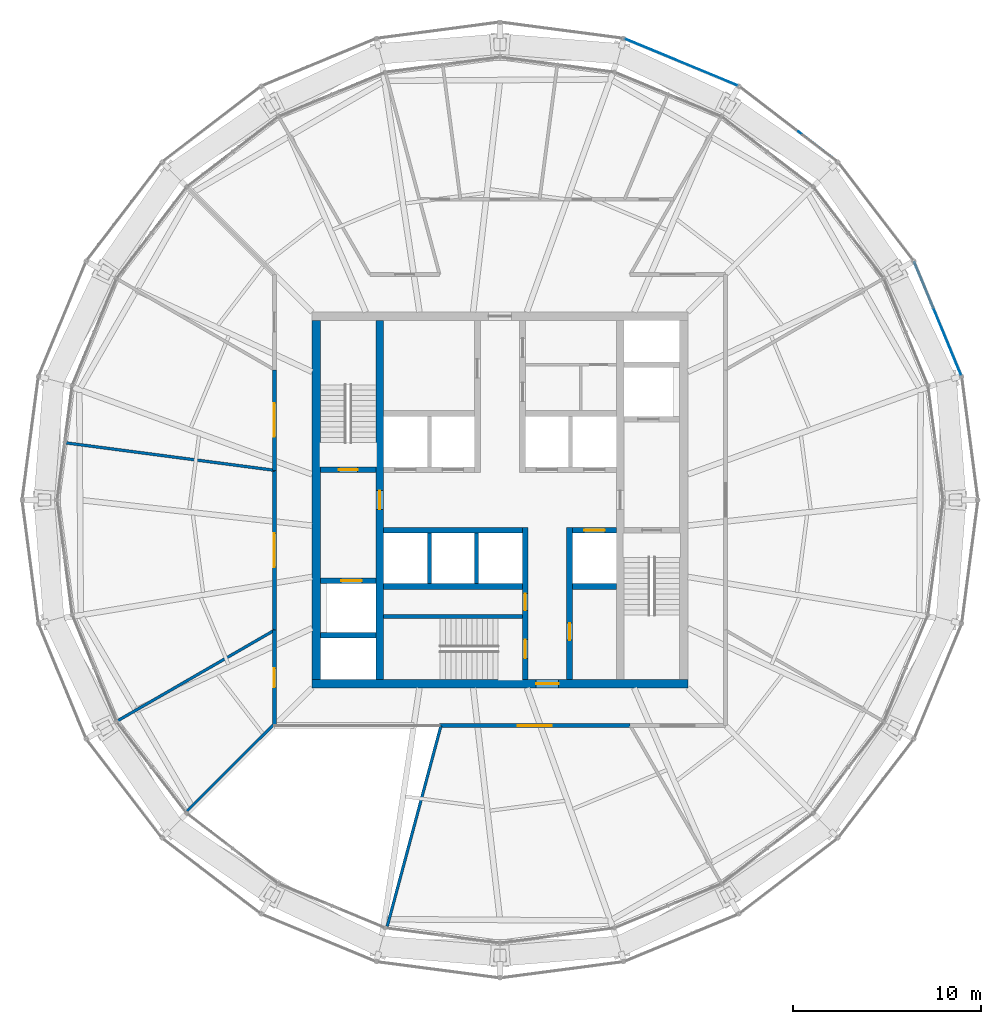
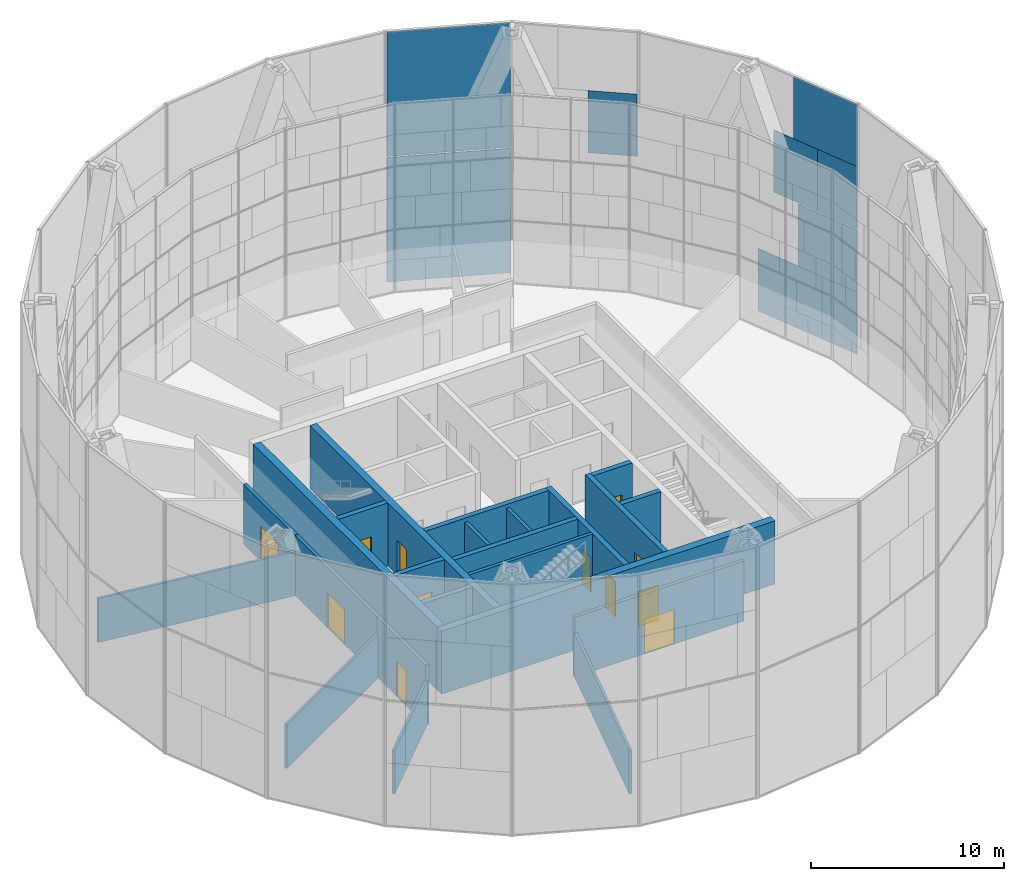
# One storey, part 23 of 26: 23 walls, 12 doors, 10 plates, 12 openings, 3 elements without a shape of their own.
"""IFC4 building model written with IfcOpenShell, lengths in metres."""

from ifc_helpers import new_model, si_unit, direction, frame, frame_2d, origin, origin_2d, place, context, subcontext, project, spatial, rectangle, extrude, material, layer, layer_set, type_object, element, fill, aggregate, save


model = new_model("IFC4")

# Units and contexts
model_context = context("Model", 3, precision=1e-05, world=origin(), true_north=direction((0.0, 1.0)))
body_context = subcontext(model_context, "Body", "Model", "MODEL_VIEW")
ifc_project = project(units=[si_unit("LENGTHUNIT", "METRE"), si_unit("AREAUNIT", "SQUARE_METRE"), si_unit("VOLUMEUNIT", "CUBIC_METRE"), si_unit("PLANEANGLEUNIT", "RADIAN"), si_unit("MASSUNIT", "GRAM", prefix="KILO")], contexts=[model_context])

# Site, building, storey
site_placement = place(None, origin())
site = spatial("IfcSite", under=ifc_project, at=site_placement, CompositionType="ELEMENT")
building_placement = place(site_placement, origin())
building = spatial("IfcBuilding", under=site, at=building_placement, Name="Golbaran Civic Tower", CompositionType="ELEMENT")
storey_placement = place(building_placement, frame((0.0, 0.0, 199.0)))
storey = spatial("IfcBuildingStorey", under=building, at=storey_placement, Name="L48", CompositionType="ELEMENT", Elevation=199.0)

# Curtain wall, plates
ifc_material_1 = material(Name="Aluminium and glass", Category="aluminium")
curtain_wall_type = type_object("IfcCurtainWallType", Name="OUTER SKIN TERRACOTTA SCREEN", PredefinedType="NOTDEFINED", material=ifc_material_1)
curtain_wall_1_placement = place(storey_placement, origin())
curtain_wall_1 = element("IfcCurtainWall", 1, at=curtain_wall_1_placement, inside=storey, type_object=curtain_wall_type, Name="Outer skin L48 facet 2 CW3", ObjectType="OUTER SKIN", PredefinedType="USERDEFINED")
ifc_material_2 = material(Name="Clear laminated glass", Category="glass")
ifc_layer_1 = layer(ifc_material_2, 0.0400390625, Name="Clear laminated glass")
ifc_layer_set_1 = layer_set([ifc_layer_1], Name="Clear laminated glass")
plate_type_1 = type_object("IfcPlateType", Name="OUTER SKIN CLEAR GLASS PANEL", PredefinedType="CURTAIN_PANEL", material=ifc_layer_set_1)
plate_1_placement = place(storey_placement, frame((22.852783203125, 10.706298828125, -0.6298828125), z_axis=(0.0, 0.0, 1.0), x_axis=(-0.382683432446, 0.923879532478, 0.0)))
plate_1 = element("IfcPlate", 2, at=plate_1_placement, type_object=plate_type_1, Name="CW3 panel 1.1 part 2", PredefinedType="CURTAIN_PANEL", context=body_context, shape_type="SweptSolid", body=[
    extrude(rectangle(XDim=4.18603515625, YDim=0.0400390625, at=origin_2d()), origin(), (0.0, 0.0, 1.0), 3.93994140625),
])
plate_2_placement = place(storey_placement, frame((24.3447265625, 7.104736328125, 3.31005859375), z_axis=(0.0, 0.0, 1.0), x_axis=(-0.382683432446, 0.923879532478, 0.0)))
plate_2 = element("IfcPlate", 3, at=plate_2_placement, type_object=plate_type_1, Name="CW3 panel 1.1 part 3", PredefinedType="CURTAIN_PANEL", context=body_context, shape_type="SweptSolid", body=[
    extrude(rectangle(XDim=0.972900390625, YDim=0.0400390625, at=origin_2d()), origin(), (0.0, 0.0, 1.0), 3.93994140625),
])
plate_3_placement = place(storey_placement, frame((24.0380859375, 7.84521484375, 7.330078125), z_axis=(0.0, 0.0, 1.0), x_axis=(-0.382683432446, 0.923879532478, 0.0)))
plate_3 = element("IfcPlate", 4, at=plate_3_placement, type_object=plate_type_1, Name="CW3 panel 1.2 part 1", PredefinedType="CURTAIN_PANEL", context=body_context, shape_type="SweptSolid", body=[
    extrude(rectangle(XDim=2.575927734375, YDim=0.0400390625, at=origin_2d()), origin(), (0.0, 0.0, 1.0), 3.93994140625),
])
plate_4_placement = place(storey_placement, frame((23.737060546875, 8.57177734375, 11.27001953125), z_axis=(0.0, 0.0, 1.0), x_axis=(-0.382683432446, 0.923879532478, 0.0)))
plate_4 = element("IfcPlate", 5, at=plate_4_placement, type_object=plate_type_1, Name="CW3 panel 1.2 part 4", PredefinedType="CURTAIN_PANEL", context=body_context, shape_type="SweptSolid", body=[
    extrude(rectangle(XDim=4.14892578125, YDim=0.0400390625, at=origin_2d()), origin(), (0.0, 0.0, 1.0), 3.93994140625),
])

# Curtain wall, plate
curtain_wall_2_placement = place(storey_placement, origin())
curtain_wall_2 = element("IfcCurtainWall", 6, at=curtain_wall_2_placement, inside=storey, type_object=curtain_wall_type, Name="Outer skin L48 facet 4 CW3", ObjectType="OUTER SKIN", PredefinedType="USERDEFINED")
plate_5_placement = place(storey_placement, frame((16.89501953125, 18.81298828125, 7.330078125), z_axis=(0.0, 0.0, 1.0), x_axis=(-0.793353340323, 0.608761428967, 0.0)))
plate_5 = element("IfcPlate", 7, at=plate_5_placement, type_object=plate_type_1, Name="CW3 panel 1.2 part 1", PredefinedType="CURTAIN_PANEL", context=body_context, shape_type="SweptSolid", body=[
    extrude(rectangle(XDim=2.575927734375, YDim=0.0400390625, at=origin_2d()), origin(), (0.0, 0.0, 1.0), 3.93994140625),
])
aggregate(curtain_wall_2, [plate_5])

# Plate
ifc_material_3 = material(Name="Terracotta baguette screen", Category="masonry")
ifc_layer_2 = layer(ifc_material_3, 0.0400390625, Name="Terracotta baguette screen")
ifc_layer_set_2 = layer_set([ifc_layer_2], Name="Terracotta baguette screen")
plate_type_2 = type_object("IfcPlateType", Name="OUTER SKIN TERRACOTTA INFILL PANEL", PredefinedType="CURTAIN_PANEL", material=ifc_layer_set_2)
plate_6_placement = place(storey_placement, frame((24.09228515625, 7.7138671875, -0.6298828125), z_axis=(0.0, 0.0, 1.0), x_axis=(-0.382683432446, 0.923879532478, 0.0)))
plate_6 = element("IfcPlate", 8, at=plate_6_placement, type_object=plate_type_2, Name="CW3 infill panel 1.1 part 1", PredefinedType="CURTAIN_PANEL", context=body_context, shape_type="SweptSolid", body=[
    extrude(rectangle(XDim=2.2919921875, YDim=0.0400390625, at=origin_2d()), origin(), (0.0, 0.0, 1.0), 3.93994140625),
])

plate_7_placement = place(storey_placement, frame((23.60595703125, 8.88818359375, 3.31005859375), z_axis=(0.0, 0.0, 1.0), x_axis=(-0.382683432446, 0.923879532478, 0.0)))
plate_7 = element("IfcPlate", 9, at=plate_7_placement, type_object=plate_type_2, Name="CW3 infill panel 1.1 part 4", PredefinedType="CURTAIN_PANEL", context=body_context, shape_type="SweptSolid", body=[
    extrude(rectangle(XDim=2.887939453125, YDim=0.0400390625, at=origin_2d()), origin(), (0.0, 0.0, 1.0), 3.93994140625),
])

plate_8_placement = place(storey_placement, frame((22.99267578125, 10.36865234375, 7.330078125), z_axis=(0.0, 0.0, 1.0), x_axis=(-0.382683432446, 0.923879532478, 0.0)))
plate_8 = element("IfcPlate", 10, at=plate_8_placement, type_object=plate_type_2, Name="CW3 infill panel 1.2 part 2", PredefinedType="CURTAIN_PANEL", context=body_context, shape_type="SweptSolid", body=[
    extrude(rectangle(XDim=2.886962890625, YDim=0.0400390625, at=origin_2d()), origin(), (0.0, 0.0, 1.0), 3.93994140625),
])

aggregate(curtain_wall_1, [plate_6, plate_1, plate_2, plate_7, plate_3, plate_8, plate_4])

# Curtain wall, plates
curtain_wall_3_placement = place(storey_placement, origin())
curtain_wall_3 = element("IfcCurtainWall", 11, at=curtain_wall_3_placement, inside=storey, type_object=curtain_wall_type, Name="Outer skin L48 facet 5 CW3", ObjectType="OUTER SKIN", PredefinedType="USERDEFINED")
ifc_layer_3 = layer(ifc_material_3, 0.0400390625, Name="Terracotta baguette screen")
ifc_layer_set_3 = layer_set([ifc_layer_3], Name="Terracotta baguette screen")
plate_type_3 = type_object("IfcPlateType", Name="OUTER SKIN TERRACOTTA SCREEN PANEL", PredefinedType="CURTAIN_PANEL", material=ifc_layer_set_3)
plate_9_placement = place(storey_placement, frame((9.647705078125, 23.29150390625, -0.6298828125), z_axis=(0.0, 0.0, 1.0), x_axis=(-0.923879532478, 0.382683432446, 0.0)))
plate_9 = element("IfcPlate", 12, at=plate_9_placement, type_object=plate_type_3, Name="CW3 terracotta screen panel 1.1", PredefinedType="CURTAIN_PANEL", context=body_context, shape_type="SweptSolid", body=[
    extrude(rectangle(XDim=6.47802734375, YDim=0.0400390625, at=origin_2d()), origin(), (0.0, 0.0, 1.0), 7.8798828125),
])
plate_10_placement = place(storey_placement, frame((9.647705078125, 23.29150390625, 7.330078125), z_axis=(0.0, 0.0, 1.0), x_axis=(-0.923879532478, 0.382683432446, 0.0)))
plate_10 = element("IfcPlate", 13, at=plate_10_placement, type_object=plate_type_3, Name="CW3 terracotta screen panel 1.2", PredefinedType="CURTAIN_PANEL", context=body_context, shape_type="SweptSolid", body=[
    extrude(rectangle(XDim=6.47802734375, YDim=0.0400390625, at=origin_2d()), origin(), (0.0, 0.0, 1.0), 7.8798828125),
])
aggregate(curtain_wall_3, [plate_9, plate_10])

# Wall, opening, door
ifc_material_4 = material(Name="Concrete C50/60", Category="concrete")
ifc_layer_4 = layer(ifc_material_4, 0.39990234375, Name="Concrete C50/60")
ifc_layer_set_4 = layer_set([ifc_layer_4], Name="Concrete C50/60")
wall_type_1 = type_object("IfcWallType", Name="CORE WALL CONCRETE 400", PredefinedType="SOLIDWALL", material=ifc_layer_set_4)
wall_1_placement = place(storey_placement, frame((-6.39990234375, -9.550048828125, 0.0), z_axis=(0.0, 0.0, 1.0), x_axis=(0.0, 1.0, 0.0)))
wall_1 = element("IfcWall", 14, at=wall_1_placement, inside=storey, type_object=wall_type_1, Name="Core wall IW L48", PredefinedType="SOLIDWALL", context=body_context, shape_type="SweptSolid", body=[
    extrude(rectangle(XDim=19.10009765625, YDim=0.39990234375, at=frame_2d((9.550048828125, 0.0))), origin(), (0.0, 0.0, 1.0), 4.0),
])
opening_1_placement = place(wall_1_placement, frame((9.050048828125, 0.0, 0.0)))
opening_1 = element("IfcOpeningElement", 15, at=opening_1_placement, cuts=wall_1, Name="Opening L48.FL1", PredefinedType="OPENING", context=body_context, shape_type="SweptSolid", body=[
    extrude(rectangle(XDim=1.0, YDim=2.199951171875, at=frame_2d((0.5, 1.10009765625))), frame((0.0, 0.2099609375, 0.0), z_axis=(0.0, -1.0, 0.0), x_axis=(1.0, 0.0, 0.0)), (0.0, 0.0, 1.0), 0.419921875),
])
ifc_material_5 = material(Name="Timber door set in steel frame", Category="steel")
door_type_1 = type_object("IfcDoorType", Name="STAIR DOOR 1000x2200", OperationType="SINGLE_SWING_LEFT", PredefinedType="DOOR", material=ifc_material_5)
door_1_placement = place(opening_1_placement, origin())
door_1 = element("IfcDoor", 16, at=door_1_placement, inside=storey, type_object=door_type_1, Name="Fire-fighting lobby FL1 door", OperationType="SINGLE_SWING_LEFT", OverallHeight=2.199951171875, OverallWidth=1.0, PredefinedType="DOOR", context=body_context, shape_type="SweptSolid", body=[
    extrude(rectangle(XDim=1.0, YDim=2.199951171875, at=frame_2d((0.5, 1.10009765625))), frame((0.0, 0.02490234375, 0.0), z_axis=(0.0, -1.0, 0.0), x_axis=(1.0, 0.0, 0.0)), (0.0, 0.0, 1.0), 0.050048828125),
])
fill(opening_1, door_1)

ifc_layer_5 = layer(ifc_material_4, 0.449951171875, Name="Concrete C50/60")
ifc_layer_set_5 = layer_set([ifc_layer_5], Name="Concrete C50/60")
wall_type_2 = type_object("IfcWallType", Name="CORE WALL CONCRETE 450", PredefinedType="SOLIDWALL", material=ifc_layer_set_5)
wall_2_placement = place(storey_placement, frame((10.0, -9.77490234375, 0.0), z_axis=(0.0, 0.0, 1.0), x_axis=(-1.0, 0.0, 0.0)))
wall_2 = element("IfcWall", 17, at=wall_2_placement, inside=storey, type_object=wall_type_2, Name="Core wall CS L48", PredefinedType="SOLIDWALL", context=body_context, shape_type="SweptSolid", body=[
    extrude(rectangle(XDim=20.0, YDim=0.449951171875, at=frame_2d((10.0, 0.0))), origin(), (0.0, 0.0, 1.0), 4.0),
])
opening_2_placement = place(wall_2_placement, frame((6.875, 0.0, 0.0)))
opening_2 = element("IfcOpeningElement", 18, at=opening_2_placement, cuts=wall_2, Name="Opening L48.CS", PredefinedType="OPENING", context=body_context, shape_type="SweptSolid", body=[
    extrude(rectangle(XDim=1.199951171875, YDim=2.199951171875, at=frame_2d((0.60009765625, 1.10009765625))), frame((0.0, 0.23486328125, 0.0), z_axis=(0.0, -1.0, 0.0), x_axis=(1.0, 0.0, 0.0)), (0.0, 0.0, 1.0), 0.469970703125),
])
door_type_2 = type_object("IfcDoorType", Name="CORE DOOR 1200x2200", OperationType="DOUBLE_DOOR_SINGLE_SWING", PredefinedType="DOOR", material=ifc_material_5)
door_2_placement = place(opening_2_placement, origin())
door_2 = element("IfcDoor", 19, at=door_2_placement, inside=storey, type_object=door_type_2, Name="Core door south", OperationType="DOUBLE_DOOR_SINGLE_SWING", OverallHeight=2.199951171875, OverallWidth=1.199951171875, PredefinedType="DOOR", context=body_context, shape_type="SweptSolid", body=[
    extrude(rectangle(XDim=1.199951171875, YDim=2.199951171875, at=frame_2d((0.60009765625, 1.10009765625))), frame((0.0, 0.02490234375, 0.0), z_axis=(0.0, -1.0, 0.0), x_axis=(1.0, 0.0, 0.0)), (0.0, 0.0, 1.0), 0.050048828125),
])
fill(opening_2, door_2)

# Wall
wall_3_placement = place(storey_placement, frame((-9.77490234375, 9.550048828125, 0.0), z_axis=(0.0, 0.0, 1.0), x_axis=(0.0, -1.0, 0.0)))
element("IfcWall", 20, at=wall_3_placement, inside=storey, type_object=wall_type_2, Name="Core wall CW L48", PredefinedType="SOLIDWALL", context=body_context, shape_type="SweptSolid", body=[
    extrude(rectangle(XDim=19.10009765625, YDim=0.449951171875, at=frame_2d((9.550048828125, 0.0))), origin(), (0.0, 0.0, 1.0), 4.0),
])

# Wall, opening, door
ifc_material_6 = material(Name="Gypsum board on steel studs, fire-rated", Category="steel")
ifc_layer_6 = layer(ifc_material_6, 0.199951171875, Name="Gypsum board on steel studs, fire-rated")
ifc_layer_set_6 = layer_set([ifc_layer_6], Name="Gypsum board on steel studs, fire-rated")
wall_type_3 = type_object("IfcWallType", Name="CORRIDOR WALL 200", PredefinedType="PARTITIONING", material=ifc_layer_set_6)
wall_4_placement = place(storey_placement, frame((-12.0, 6.92822265625, 0.0), z_axis=(0.0, 0.0, 1.0), x_axis=(0.0, -1.0, 0.0)))
wall_4 = element("IfcWall", 21, at=wall_4_placement, inside=storey, type_object=wall_type_3, Name="Corridor wall L48", PredefinedType="PARTITIONING", context=body_context, shape_type="SweptSolid", body=[
    extrude(rectangle(XDim=5.348388671875, YDim=0.199951171875, at=frame_2d((2.67431640625, 0.0))), origin(), (0.0, 0.0, 1.0), 3.800048828125),
])
opening_3_placement = place(wall_4_placement, frame((1.774169921875, 0.0, 0.0)))
opening_3 = element("IfcOpeningElement", 22, at=opening_3_placement, cuts=wall_4, Name="Opening L48.09", PredefinedType="OPENING", context=body_context, shape_type="SweptSolid", body=[
    extrude(rectangle(XDim=1.800048828125, YDim=2.199951171875, at=frame_2d((0.89990234375, 1.10009765625))), frame((0.0, 0.10986328125, 0.0), z_axis=(0.0, -1.0, 0.0), x_axis=(1.0, 0.0, 0.0)), (0.0, 0.0, 1.0), 0.219970703125),
])
door_type_3 = type_object("IfcDoorType", Name="OFFICE DOUBLE DOOR 1800x2200", OperationType="DOUBLE_DOOR_SINGLE_SWING", PredefinedType="DOOR", material=ifc_material_5)
door_3_placement = place(opening_3_placement, origin())
door_3 = element("IfcDoor", 23, at=door_3_placement, inside=storey, type_object=door_type_3, Name="IT Services Office door L48", OperationType="DOUBLE_DOOR_SINGLE_SWING", OverallHeight=2.199951171875, OverallWidth=1.800048828125, PredefinedType="DOOR", context=body_context, shape_type="SweptSolid", body=[
    extrude(rectangle(XDim=1.800048828125, YDim=2.199951171875, at=frame_2d((0.89990234375, 1.10009765625))), frame((0.0, 0.02490234375, 0.0), z_axis=(0.0, -1.0, 0.0), x_axis=(1.0, 0.0, 0.0)), (0.0, 0.0, 1.0), 0.050048828125),
])
fill(opening_3, door_3)

wall_5_placement = place(storey_placement, frame((-12.0, 1.579833984375, 0.0), z_axis=(0.0, 0.0, 1.0), x_axis=(0.0, -1.0, 0.0)))
wall_5 = element("IfcWall", 24, at=wall_5_placement, inside=storey, type_object=wall_type_3, Name="Corridor wall L48", PredefinedType="PARTITIONING", context=body_context, shape_type="SweptSolid", body=[
    extrude(rectangle(XDim=8.508056640625, YDim=0.199951171875, at=frame_2d((4.25390625, 0.0))), origin(), (0.0, 0.0, 1.0), 3.800048828125),
])
opening_4_placement = place(wall_5_placement, frame((3.35400390625, 0.0, 0.0)))
opening_4 = element("IfcOpeningElement", 25, at=opening_4_placement, cuts=wall_5, Name="Opening L48.10", PredefinedType="OPENING", context=body_context, shape_type="SweptSolid", body=[
    extrude(rectangle(XDim=1.800048828125, YDim=2.199951171875, at=frame_2d((0.89990234375, 1.10009765625))), frame((0.0, 0.10986328125, 0.0), z_axis=(0.0, -1.0, 0.0), x_axis=(1.0, 0.0, 0.0)), (0.0, 0.0, 1.0), 0.219970703125),
])
door_4_placement = place(opening_4_placement, origin())
door_4 = element("IfcDoor", 26, at=door_4_placement, inside=storey, type_object=door_type_3, Name="IT Services Office door L48", OperationType="DOUBLE_DOOR_SINGLE_SWING", OverallHeight=2.199951171875, OverallWidth=1.800048828125, PredefinedType="DOOR", context=body_context, shape_type="SweptSolid", body=[
    extrude(rectangle(XDim=1.800048828125, YDim=2.199951171875, at=frame_2d((0.89990234375, 1.10009765625))), frame((0.0, 0.02490234375, 0.0), z_axis=(0.0, -1.0, 0.0), x_axis=(1.0, 0.0, 0.0)), (0.0, 0.0, 1.0), 0.050048828125),
])
fill(opening_4, door_4)

wall_6_placement = place(storey_placement, frame((-12.0, -6.92822265625, 0.0), z_axis=(0.0, 0.0, 1.0), x_axis=(0.0, -1.0, 0.0)))
wall_6 = element("IfcWall", 27, at=wall_6_placement, inside=storey, type_object=wall_type_3, Name="Corridor wall L48", PredefinedType="PARTITIONING", context=body_context, shape_type="SweptSolid", body=[
    extrude(rectangle(XDim=5.07177734375, YDim=0.199951171875, at=frame_2d((2.535888671875, 0.0))), origin(), (0.0, 0.0, 1.0), 3.800048828125),
])
opening_5_placement = place(wall_6_placement, frame((2.035888671875, 0.0, 0.0)))
opening_5 = element("IfcOpeningElement", 28, at=opening_5_placement, cuts=wall_6, Name="Opening L48.11", PredefinedType="OPENING", context=body_context, shape_type="SweptSolid", body=[
    extrude(rectangle(XDim=1.0, YDim=2.199951171875, at=frame_2d((0.5, 1.10009765625))), frame((0.0, 0.10986328125, 0.0), z_axis=(0.0, -1.0, 0.0), x_axis=(1.0, 0.0, 0.0)), (0.0, 0.0, 1.0), 0.219970703125),
])
door_type_4 = type_object("IfcDoorType", Name="OFFICE DOOR 1000x2200", OperationType="SINGLE_SWING_LEFT", PredefinedType="DOOR", material=ifc_material_5)
door_5_placement = place(opening_5_placement, origin())
door_5 = element("IfcDoor", 29, at=door_5_placement, inside=storey, type_object=door_type_4, Name="Meeting Room door L48", OperationType="SINGLE_SWING_RIGHT", OverallHeight=2.199951171875, OverallWidth=1.0, PredefinedType="DOOR", context=body_context, shape_type="SweptSolid", body=[
    extrude(rectangle(XDim=1.0, YDim=2.199951171875, at=frame_2d((0.5, 1.10009765625))), frame((0.0, 0.02490234375, 0.0), z_axis=(0.0, -1.0, 0.0), x_axis=(1.0, 0.0, 0.0)), (0.0, 0.0, 1.0), 0.050048828125),
])
fill(opening_5, door_5)

wall_7_placement = place(storey_placement, frame((-3.21533203125, -12.0, 0.0), z_axis=(0.0, 0.0, 1.0), x_axis=(1.0, 0.0, 0.0)))
wall_7 = element("IfcWall", 30, at=wall_7_placement, inside=storey, type_object=wall_type_3, Name="Corridor wall L48", PredefinedType="PARTITIONING", context=body_context, shape_type="SweptSolid", body=[
    extrude(rectangle(XDim=10.1435546875, YDim=0.199951171875, at=frame_2d((5.07177734375, 0.0))), origin(), (0.0, 0.0, 1.0), 3.800048828125),
])
opening_6_placement = place(wall_7_placement, frame((4.171875, 0.0, 0.0)))
opening_6 = element("IfcOpeningElement", 31, at=opening_6_placement, cuts=wall_7, Name="Opening L48.12", PredefinedType="OPENING", context=body_context, shape_type="SweptSolid", body=[
    extrude(rectangle(XDim=1.800048828125, YDim=2.199951171875, at=frame_2d((0.89990234375, 1.10009765625))), frame((0.0, 0.10986328125, 0.0), z_axis=(0.0, -1.0, 0.0), x_axis=(1.0, 0.0, 0.0)), (0.0, 0.0, 1.0), 0.219970703125),
])
door_6_placement = place(opening_6_placement, origin())
door_6 = element("IfcDoor", 32, at=door_6_placement, inside=storey, type_object=door_type_3, Name="Data and Statistics Office door L48", OperationType="DOUBLE_DOOR_SINGLE_SWING", OverallHeight=2.199951171875, OverallWidth=1.800048828125, PredefinedType="DOOR", context=body_context, shape_type="SweptSolid", body=[
    extrude(rectangle(XDim=1.800048828125, YDim=2.199951171875, at=frame_2d((0.89990234375, 1.10009765625))), frame((0.0, 0.02490234375, 0.0), z_axis=(0.0, -1.0, 0.0), x_axis=(1.0, 0.0, 0.0)), (0.0, 0.0, 1.0), 0.050048828125),
])
fill(opening_6, door_6)

# Walls
ifc_material_7 = material(Name="Concrete block", Category="concrete")
ifc_layer_7 = layer(ifc_material_7, 0.199951171875, Name="Concrete block")
ifc_layer_set_7 = layer_set([ifc_layer_7], Name="Concrete block")
wall_type_4 = type_object("IfcWallType", Name="LIFT SEPARATOR WALL 200", PredefinedType="SOLIDWALL", material=ifc_layer_set_7)
for number, where, z_axis, x_axis, name in (
    (33, (-3.75, -1.75, 0.0), (0.0, 0.0, 1.0), (0.0, -1.0, 0.0), "Core partition SSW L48"),
    (34, (-1.25, -1.75, 0.0), (0.0, 0.0, 1.0), (0.0, -1.0, 0.0), "Core partition SSM L48"),
):
    element("IfcWall", number, at=place(storey_placement, frame(where, z_axis=z_axis, x_axis=x_axis)), inside=storey, type_object=wall_type_4, Name=name, PredefinedType="SOLIDWALL", context=body_context, shape_type="SweptSolid", body=[
        extrude(rectangle(XDim=2.699951171875, YDim=0.199951171875, at=frame_2d((1.35009765625, 0.0))), origin(), (0.0, 0.0, 1.0), 3.75),
    ])
ifc_material_8 = material(Name="Gypsum board on steel studs", Category="steel")
ifc_layer_8 = layer(ifc_material_8, 0.14990234375, Name="Gypsum board on steel studs")
ifc_layer_set_8 = layer_set([ifc_layer_8], Name="Gypsum board on steel studs")
wall_type_5 = type_object("IfcWallType", Name="OFFICE PARTITION 150", PredefinedType="PARTITIONING", material=ifc_layer_set_8)
wall_8_placement = place(storey_placement, frame((-12.0, 1.579833984375, 0.0), z_axis=(0.0, 0.0, 1.0), x_axis=(-0.991444325482, 0.130530262654, 0.0)))
element("IfcWall", 35, at=wall_8_placement, inside=storey, type_object=wall_type_5, Name="Partition 172.5 L48", PredefinedType="PARTITIONING", context=body_context, shape_type="SweptSolid", body=[
    extrude(rectangle(XDim=11.171875, YDim=0.14990234375, at=frame_2d((5.5859375, 0.0))), origin(), (0.0, 0.0, 1.0), 2.7900390625),
])
wall_9_placement = place(storey_placement, frame((-12.0, -6.92822265625, 0.0), z_axis=(0.0, 0.0, 1.0), x_axis=(-0.866030904871, -0.499990471717, 0.0)))
element("IfcWall", 36, at=wall_9_placement, inside=storey, type_object=wall_type_5, Name="Partition 210 L48", PredefinedType="PARTITIONING", context=body_context, shape_type="SweptSolid", body=[
    extrude(rectangle(XDim=9.619873046875, YDim=0.14990234375, at=frame_2d((4.81005859375, 0.0))), origin(), (0.0, 0.0, 1.0), 2.7900390625),
])
wall_10_placement = place(storey_placement, frame((-12.052978515625, -11.947021484375, 0.0), z_axis=(0.0, 0.0, 1.0), x_axis=(-0.707125544551, -0.707088017324, 0.0)))
element("IfcWall", 37, at=wall_10_placement, inside=storey, type_object=wall_type_5, Name="Partition 225 L48", PredefinedType="PARTITIONING", context=body_context, shape_type="SweptSolid", body=[
    extrude(rectangle(XDim=6.505615234375, YDim=0.14990234375, at=frame_2d((3.2529296875, 0.0))), origin(), (0.0, 0.0, 1.0), 2.7900390625),
])
wall_11_placement = place(storey_placement, frame((-3.14306640625, -12.01953125, 0.0), z_axis=(0.0, 0.0, 1.0), x_axis=(-0.258810426797, -0.965928135516, 0.0)))
element("IfcWall", 38, at=wall_11_placement, inside=storey, type_object=wall_type_5, Name="Partition 255 L48", PredefinedType="PARTITIONING", context=body_context, shape_type="SweptSolid", body=[
    extrude(rectangle(XDim=11.052978515625, YDim=0.14990234375, at=frame_2d((5.5263671875, 0.0))), origin(), (0.0, 0.0, 1.0), 2.7900390625),
])
ifc_layer_9 = layer(ifc_material_4, 0.199951171875, Name="Concrete C50/60")
ifc_layer_set_9 = layer_set([ifc_layer_9], Name="Concrete C50/60")
wall_type_6 = type_object("IfcWallType", Name="SHAFT WALL CONCRETE 200", PredefinedType="SOLIDWALL", material=ifc_layer_set_9)
wall_12_placement = place(storey_placement, frame((-6.199951171875, -6.199951171875, 0.0), z_axis=(0.0, 0.0, 1.0), x_axis=(1.0, 0.0, 0.0)))
element("IfcWall", 39, at=wall_12_placement, inside=storey, type_object=wall_type_6, Name="Core wall S3N L48", PredefinedType="SOLIDWALL", context=body_context, shape_type="SweptSolid", body=[
    extrude(rectangle(XDim=7.39990234375, YDim=0.199951171875, at=frame_2d((3.699951171875, 0.0))), origin(), (0.0, 0.0, 1.0), 4.0),
])
ifc_layer_10 = layer(ifc_material_4, 0.300048828125, Name="Concrete C50/60")
ifc_layer_set_10 = layer_set([ifc_layer_10], Name="Concrete C50/60")
wall_type_7 = type_object("IfcWallType", Name="SHAFT WALL CONCRETE 300", PredefinedType="SOLIDWALL", material=ifc_layer_set_10)
wall_13_placement = place(storey_placement, frame((-6.199951171875, -1.60009765625, 0.0), z_axis=(0.0, 0.0, 1.0), x_axis=(1.0, 0.0, 0.0)))
element("IfcWall", 40, at=wall_13_placement, inside=storey, type_object=wall_type_7, Name="Core wall FSW L48", PredefinedType="SOLIDWALL", context=body_context, shape_type="SweptSolid", body=[
    extrude(rectangle(XDim=7.39990234375, YDim=0.300048828125, at=frame_2d((3.699951171875, 0.0))), origin(), (0.0, 0.0, 1.0), 4.0),
])

# Wall, opening, door
wall_14_placement = place(storey_placement, frame((3.85009765625, -1.60009765625, 0.0), z_axis=(0.0, 0.0, 1.0), x_axis=(1.0, 0.0, 0.0)))
wall_14 = element("IfcWall", 41, at=wall_14_placement, inside=storey, type_object=wall_type_7, Name="Core wall FSE L48", PredefinedType="SOLIDWALL", context=body_context, shape_type="SweptSolid", body=[
    extrude(rectangle(XDim=2.349853515625, YDim=0.300048828125, at=frame_2d((1.1748046875, 0.0))), origin(), (0.0, 0.0, 1.0), 4.0),
])
opening_7_placement = place(wall_14_placement, frame((0.625, 0.0, 0.0)))
opening_7 = element("IfcOpeningElement", 42, at=opening_7_placement, cuts=wall_14, Name="Opening L48.LD-V1", PredefinedType="OPENING", context=body_context, shape_type="SweptSolid", body=[
    extrude(rectangle(XDim=1.10009765625, YDim=2.199951171875, at=frame_2d((0.550048828125, 1.10009765625))), frame((0.0, 0.159912109375, 0.0), z_axis=(0.0, -1.0, 0.0), x_axis=(1.0, 0.0, 0.0)), (0.0, 0.0, 1.0), 0.320068359375),
])
ifc_material_9 = material(Name="Stainless steel", Category="steel")
door_type_5 = type_object("IfcDoorType", Name="LIFT LANDING DOOR 1100x2200", OperationType="SLIDING_TO_LEFT", PredefinedType="DOOR", material=ifc_material_9)
door_7_placement = place(opening_7_placement, origin())
door_7 = element("IfcDoor", 43, at=door_7_placement, inside=storey, type_object=door_type_5, Name="Lift landing door V1", OperationType="SLIDING_TO_LEFT", OverallHeight=2.199951171875, OverallWidth=1.10009765625, PredefinedType="DOOR", context=body_context, shape_type="SweptSolid", body=[
    extrude(rectangle(XDim=1.10009765625, YDim=2.199951171875, at=frame_2d((0.550048828125, 1.10009765625))), frame((0.0, 0.02490234375, 0.0), z_axis=(0.0, -1.0, 0.0), x_axis=(1.0, 0.0, 0.0)), (0.0, 0.0, 1.0), 0.050048828125),
])
fill(opening_7, door_7)

# Walls
wall_15_placement = place(storey_placement, frame((-6.199951171875, -4.60009765625, 0.0), z_axis=(0.0, 0.0, 1.0), x_axis=(1.0, 0.0, 0.0)))
element("IfcWall", 44, at=wall_15_placement, inside=storey, type_object=wall_type_7, Name="Core wall BSW L48", PredefinedType="SOLIDWALL", context=body_context, shape_type="SweptSolid", body=[
    extrude(rectangle(XDim=7.39990234375, YDim=0.300048828125, at=frame_2d((3.699951171875, 0.0))), origin(), (0.0, 0.0, 1.0), 4.0),
])
wall_16_placement = place(storey_placement, frame((3.85009765625, -4.60009765625, 0.0), z_axis=(0.0, 0.0, 1.0), x_axis=(1.0, 0.0, 0.0)))
element("IfcWall", 45, at=wall_16_placement, inside=storey, type_object=wall_type_7, Name="Core wall BSE L48", PredefinedType="SOLIDWALL", context=body_context, shape_type="SweptSolid", body=[
    extrude(rectangle(XDim=2.349853515625, YDim=0.300048828125, at=frame_2d((1.1748046875, 0.0))), origin(), (0.0, 0.0, 1.0), 4.0),
])

# Wall, openings, doors
wall_17_placement = place(storey_placement, frame((1.35009765625, -1.449951171875, 0.0), z_axis=(0.0, 0.0, 1.0), x_axis=(0.0, -1.0, 0.0)))
wall_17 = element("IfcWall", 46, at=wall_17_placement, inside=storey, type_object=wall_type_7, Name="Core wall PSW L48", PredefinedType="SOLIDWALL", context=body_context, shape_type="SweptSolid", body=[
    extrude(rectangle(XDim=8.10009765625, YDim=0.300048828125, at=frame_2d((4.050048828125, 0.0))), origin(), (0.0, 0.0, 1.0), 4.0),
])
opening_8_placement = place(wall_17_placement, frame((5.97509765625, 0.0, 0.0)))
opening_8 = element("IfcOpeningElement", 47, at=opening_8_placement, cuts=wall_17, Name="Opening L48.S3", PredefinedType="OPENING", context=body_context, shape_type="SweptSolid", body=[
    extrude(rectangle(XDim=1.0, YDim=2.199951171875, at=frame_2d((0.5, 1.10009765625))), frame((0.0, 0.159912109375, 0.0), z_axis=(0.0, -1.0, 0.0), x_axis=(1.0, 0.0, 0.0)), (0.0, 0.0, 1.0), 0.320068359375),
])
opening_9_placement = place(wall_17_placement, frame((3.52490234375, 0.0, 0.0)))
opening_9 = element("IfcOpeningElement", 48, at=opening_9_placement, cuts=wall_17, Name="Opening L48.RE", PredefinedType="OPENING", context=body_context, shape_type="SweptSolid", body=[
    extrude(rectangle(XDim=0.89990234375, YDim=2.199951171875, at=frame_2d((0.449951171875, 1.10009765625))), frame((0.0, 0.159912109375, 0.0), z_axis=(0.0, -1.0, 0.0), x_axis=(1.0, 0.0, 0.0)), (0.0, 0.0, 1.0), 0.320068359375),
])
door_type_6 = type_object("IfcDoorType", Name="RISER DOOR 900x2200", OperationType="SINGLE_SWING_LEFT", PredefinedType="DOOR", material=ifc_material_5)
door_8_placement = place(opening_9_placement, origin())
door_8 = element("IfcDoor", 49, at=door_8_placement, inside=storey, type_object=door_type_6, Name="Electrical riser door", OperationType="SINGLE_SWING_LEFT", OverallHeight=2.199951171875, OverallWidth=0.89990234375, PredefinedType="DOOR", context=body_context, shape_type="SweptSolid", body=[
    extrude(rectangle(XDim=0.89990234375, YDim=2.199951171875, at=frame_2d((0.449951171875, 1.10009765625))), frame((0.0, 0.02490234375, 0.0), z_axis=(0.0, -1.0, 0.0), x_axis=(1.0, 0.0, 0.0)), (0.0, 0.0, 1.0), 0.050048828125),
])
fill(opening_9, door_8)
door_9_placement = place(opening_8_placement, origin())
door_9 = element("IfcDoor", 50, at=door_9_placement, inside=storey, type_object=door_type_1, Name="Stair S3 door", OperationType="SINGLE_SWING_RIGHT", OverallHeight=2.199951171875, OverallWidth=1.0, PredefinedType="DOOR", context=body_context, shape_type="SweptSolid", body=[
    extrude(rectangle(XDim=1.0, YDim=2.199951171875, at=frame_2d((0.5, 1.10009765625))), frame((0.0, 0.02490234375, 0.0), z_axis=(0.0, -1.0, 0.0), x_axis=(1.0, 0.0, 0.0)), (0.0, 0.0, 1.0), 0.050048828125),
])
fill(opening_8, door_9)

# Wall, opening, door
wall_18_placement = place(storey_placement, frame((3.699951171875, -1.449951171875, 0.0), z_axis=(0.0, 0.0, 1.0), x_axis=(0.0, -1.0, 0.0)))
wall_18 = element("IfcWall", 51, at=wall_18_placement, inside=storey, type_object=wall_type_7, Name="Core wall PSE L48", PredefinedType="SOLIDWALL", context=body_context, shape_type="SweptSolid", body=[
    extrude(rectangle(XDim=8.10009765625, YDim=0.300048828125, at=frame_2d((4.050048828125, 0.0))), origin(), (0.0, 0.0, 1.0), 4.0),
])
opening_10_placement = place(wall_18_placement, frame((5.10009765625, 0.0, 0.0)))
opening_10 = element("IfcOpeningElement", 52, at=opening_10_placement, cuts=wall_18, Name="Opening L48.RM", PredefinedType="OPENING", context=body_context, shape_type="SweptSolid", body=[
    extrude(rectangle(XDim=0.89990234375, YDim=2.199951171875, at=frame_2d((0.449951171875, 1.10009765625))), frame((0.0, 0.159912109375, 0.0), z_axis=(0.0, -1.0, 0.0), x_axis=(1.0, 0.0, 0.0)), (0.0, 0.0, 1.0), 0.320068359375),
])
door_10_placement = place(opening_10_placement, origin())
door_10 = element("IfcDoor", 53, at=door_10_placement, inside=storey, type_object=door_type_6, Name="Mechanical riser door", OperationType="SINGLE_SWING_RIGHT", OverallHeight=2.199951171875, OverallWidth=0.89990234375, PredefinedType="DOOR", context=body_context, shape_type="SweptSolid", body=[
    extrude(rectangle(XDim=0.89990234375, YDim=2.199951171875, at=frame_2d((0.449951171875, 1.10009765625))), frame((0.0, 0.02490234375, 0.0), z_axis=(0.0, -1.0, 0.0), x_axis=(1.0, 0.0, 0.0)), (0.0, 0.0, 1.0), 0.050048828125),
])
fill(opening_10, door_10)

wall_19_placement = place(storey_placement, frame((-9.550048828125, 1.60009765625, 0.0), z_axis=(0.0, 0.0, 1.0), x_axis=(1.0, 0.0, 0.0)))
wall_19 = element("IfcWall", 54, at=wall_19_placement, inside=storey, type_object=wall_type_7, Name="Core wall XW1 L48", PredefinedType="SOLIDWALL", context=body_context, shape_type="SweptSolid", body=[
    extrude(rectangle(XDim=2.949951171875, YDim=0.300048828125, at=frame_2d((1.47509765625, 0.0))), origin(), (0.0, 0.0, 1.0), 4.0),
])
opening_11_placement = place(wall_19_placement, frame((0.97509765625, 0.0, 0.0)))
opening_11 = element("IfcOpeningElement", 55, at=opening_11_placement, cuts=wall_19, Name="Opening L48.S1", PredefinedType="OPENING", context=body_context, shape_type="SweptSolid", body=[
    extrude(rectangle(XDim=1.0, YDim=2.199951171875, at=frame_2d((0.5, 1.10009765625))), frame((0.0, 0.159912109375, 0.0), z_axis=(0.0, -1.0, 0.0), x_axis=(1.0, 0.0, 0.0)), (0.0, 0.0, 1.0), 0.320068359375),
])
door_11_placement = place(opening_11_placement, origin())
door_11 = element("IfcDoor", 56, at=door_11_placement, inside=storey, type_object=door_type_1, Name="Stair S1 door", OperationType="SINGLE_SWING_LEFT", OverallHeight=2.199951171875, OverallWidth=1.0, PredefinedType="DOOR", context=body_context, shape_type="SweptSolid", body=[
    extrude(rectangle(XDim=1.0, YDim=2.199951171875, at=frame_2d((0.5, 1.10009765625))), frame((0.0, 0.02490234375, 0.0), z_axis=(0.0, -1.0, 0.0), x_axis=(1.0, 0.0, 0.0)), (0.0, 0.0, 1.0), 0.050048828125),
])
fill(opening_11, door_11)

wall_20_placement = place(storey_placement, frame((-9.550048828125, -4.300048828125, 0.0), z_axis=(0.0, 0.0, 1.0), x_axis=(1.0, 0.0, 0.0)))
wall_20 = element("IfcWall", 57, at=wall_20_placement, inside=storey, type_object=wall_type_7, Name="Core wall XW2 L48", PredefinedType="SOLIDWALL", context=body_context, shape_type="SweptSolid", body=[
    extrude(rectangle(XDim=2.949951171875, YDim=0.300048828125, at=frame_2d((1.47509765625, 0.0))), origin(), (0.0, 0.0, 1.0), 4.0),
])
opening_12_placement = place(wall_20_placement, frame((1.10009765625, 0.0, 0.0)))
opening_12 = element("IfcOpeningElement", 58, at=opening_12_placement, cuts=wall_20, Name="Opening L48.LD-F1", PredefinedType="OPENING", context=body_context, shape_type="SweptSolid", body=[
    extrude(rectangle(XDim=1.10009765625, YDim=2.199951171875, at=frame_2d((0.550048828125, 1.10009765625))), frame((0.0, 0.159912109375, 0.0), z_axis=(0.0, -1.0, 0.0), x_axis=(1.0, 0.0, 0.0)), (0.0, 0.0, 1.0), 0.320068359375),
])
door_12_placement = place(opening_12_placement, origin())
door_12 = element("IfcDoor", 59, at=door_12_placement, inside=storey, type_object=door_type_5, Name="Lift landing door F1", OperationType="SLIDING_TO_LEFT", OverallHeight=2.199951171875, OverallWidth=1.10009765625, PredefinedType="DOOR", context=body_context, shape_type="SweptSolid", body=[
    extrude(rectangle(XDim=1.10009765625, YDim=2.199951171875, at=frame_2d((0.550048828125, 1.10009765625))), frame((0.0, 0.02490234375, 0.0), z_axis=(0.0, -1.0, 0.0), x_axis=(1.0, 0.0, 0.0)), (0.0, 0.0, 1.0), 0.050048828125),
])
fill(opening_12, door_12)

# Wall
wall_21_placement = place(storey_placement, frame((-9.550048828125, -7.199951171875, 0.0), z_axis=(0.0, 0.0, 1.0), x_axis=(1.0, 0.0, 0.0)))
element("IfcWall", 60, at=wall_21_placement, inside=storey, type_object=wall_type_7, Name="Core wall XW3 L48", PredefinedType="SOLIDWALL", context=body_context, shape_type="SweptSolid", body=[
    extrude(rectangle(XDim=2.949951171875, YDim=0.300048828125, at=frame_2d((1.47509765625, 0.0))), origin(), (0.0, 0.0, 1.0), 4.0),
])

save(model, "model.ifc")
